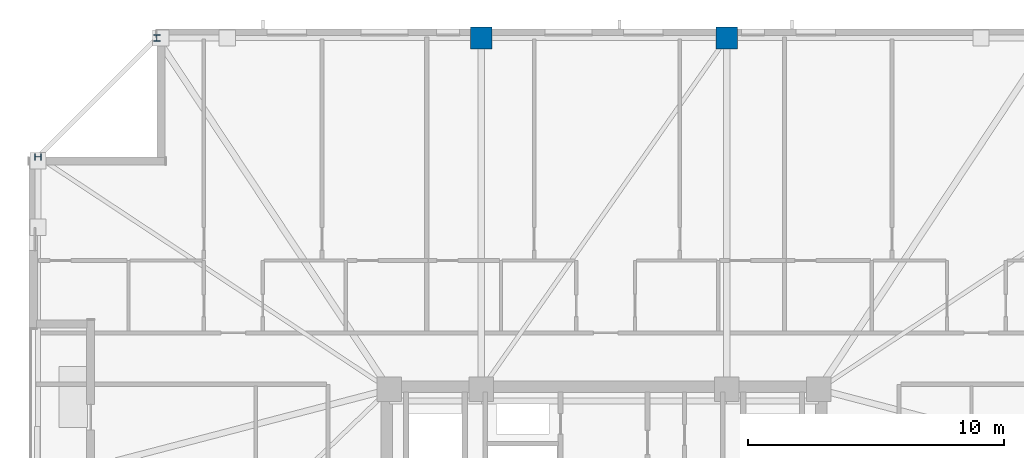
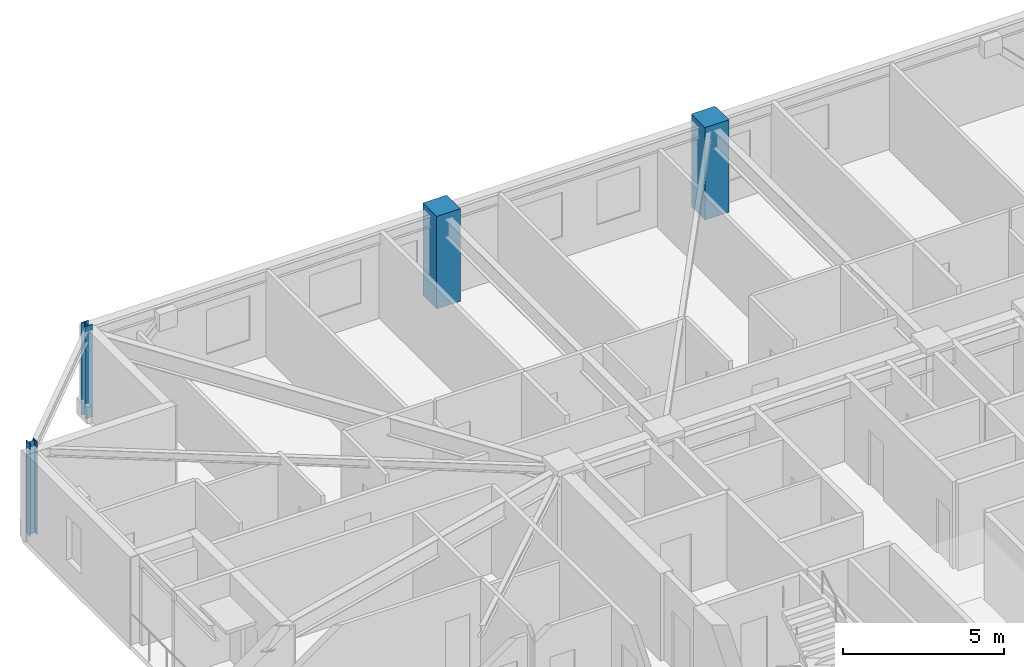
# One storey, part 4 of 17: 4 columns.
"""IFC4 building model written with IfcOpenShell, lengths in metres."""

from ifc_helpers import new_model, si_unit, direction, frame, origin, origin_2d, place, context, subcontext, project, spatial, rectangle, i_section, extrude, material, material_profile, profile_set, type_object, element, save


model = new_model("IFC4")

# Units and contexts
model_context = context("Model", 3, precision=1e-05, world=origin(), true_north=direction((0.0, 1.0)))
body_context = subcontext(model_context, "Body", "Model", "MODEL_VIEW")
ifc_project = project(units=[si_unit("LENGTHUNIT", "METRE"), si_unit("AREAUNIT", "SQUARE_METRE"), si_unit("VOLUMEUNIT", "CUBIC_METRE"), si_unit("PLANEANGLEUNIT", "RADIAN"), si_unit("MASSUNIT", "GRAM", prefix="KILO")], contexts=[model_context])

# Site, building, storey
site_placement = place(None, origin())
site = spatial("IfcSite", under=ifc_project, at=site_placement, CompositionType="ELEMENT")
building_placement = place(site_placement, origin())
building = spatial("IfcBuilding", under=site, at=building_placement, Name="Cairnveth Concourse Tower", CompositionType="ELEMENT")
storey_placement = place(building_placement, frame((0.0, 0.0, 227.0)))
storey = spatial("IfcBuildingStorey", under=building, at=storey_placement, Name="L62", CompositionType="ELEMENT", Elevation=227.0)

# Columns
ifc_material_1 = material(Name="Concrete N65 (65 MPa)", Category="concrete")
ifc_material_profile_1 = material_profile(ifc_material_1, rectangle(XDim=0.85009765625, YDim=0.85009765625, at=origin_2d()), Name="RC-COL-850x850")
ifc_profile_set_1 = profile_set([ifc_material_profile_1], Name="Concrete N65 (65 MPa)")
column_type_1 = type_object("IfcColumnType", Name="PERIMETER PIER COLUMN 850X850", PredefinedType="COLUMN", material=ifc_profile_set_1)
for number, where, z_axis, x_axis, name in (
    (1, (56.800048828125, 61.14990234375, 0.0), (0.0, 0.0, 1.0), (1.0, 0.0, 0.0), "Column P-N2 L62"),
    (2, (47.199951171875, 61.14990234375, 0.0), (0.0, 0.0, 1.0), (1.0, 0.0, 0.0), "Column P-N3 L62"),
):
    element("IfcColumn", number, at=place(storey_placement, frame(where, z_axis=z_axis, x_axis=x_axis)), inside=storey, type_object=column_type_1, Name=name, PredefinedType="COLUMN", context=body_context, shape_type="SweptSolid", body=[
        extrude(rectangle(XDim=0.85009765625, YDim=0.85009765625, at=origin_2d()), origin(), (0.0, 0.0, 1.0), 3.5),
    ])
ifc_material_2 = material(Name="Steel Grade 350", Category="steel")
ifc_material_profile_2 = material_profile(ifc_material_2, i_section(OverallWidth=0.256103515625, OverallDepth=0.260009765625, WebThickness=0.010498046875, FlangeThickness=0.017333984375, FilletRadius=0.012939453125, at=origin_2d()), Name="250UC89.5")
ifc_profile_set_2 = profile_set([ifc_material_profile_2], Name="Steel Grade 350")
column_type_2 = type_object("IfcColumnType", Name="UNIVERSAL STEEL COLUMN 250UC89.5", PredefinedType="COLUMN", material=ifc_profile_set_2)
for number, where, z_axis, x_axis, name in (
    (3, (34.5, 61.14990234375, 0.0), (0.0, 0.0, 1.0), (1.0, 0.0, 0.0), "Column P-N4 L62"),
    (4, (29.85009765625, 56.5, 0.0), (0.0, 0.0, 1.0), (0.0, 1.0, 0.0), "Column P-W1 L62"),
):
    element("IfcColumn", number, at=place(storey_placement, frame(where, z_axis=z_axis, x_axis=x_axis)), inside=storey, type_object=column_type_2, Name=name, PredefinedType="COLUMN", context=body_context, shape_type="SweptSolid", body=[
        extrude(i_section(OverallWidth=0.256103515625, OverallDepth=0.260009765625, WebThickness=0.010498046875, FlangeThickness=0.017333984375, FilletRadius=0.012939453125, at=origin_2d()), origin(), (0.0, 0.0, 1.0), 3.5),
    ])

save(model, "model.ifc")
